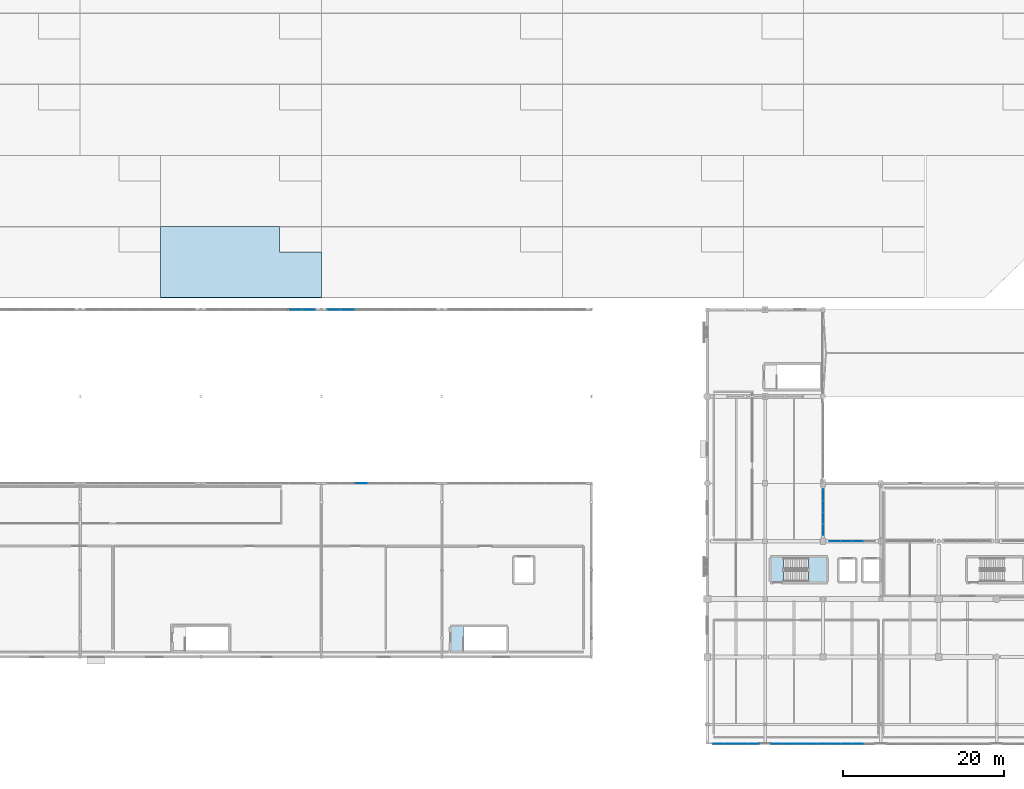
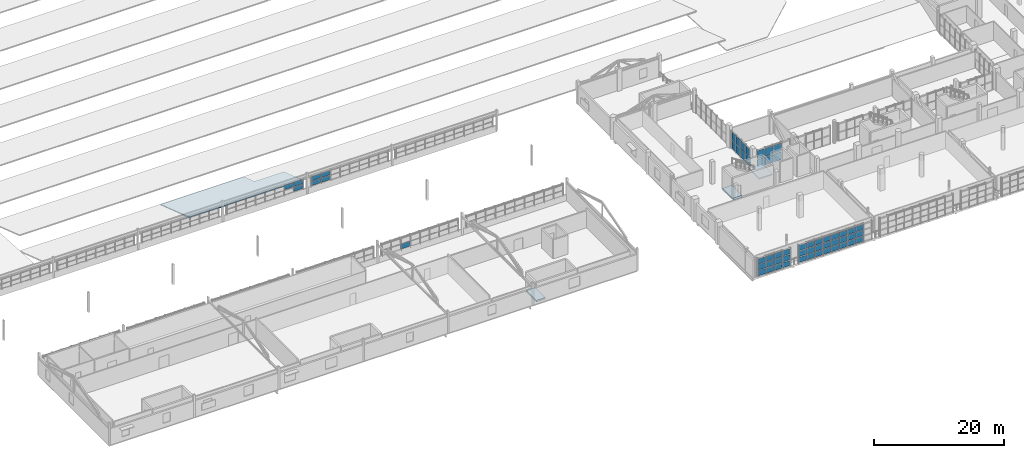
# One storey, part 46 of 90: 58 plates, 4 slabs, 8 elements without a shape of their own.
"""IFC4 building model written with IfcOpenShell, lengths in metres."""

import ifcopenshell
import ifcopenshell.guid

model = None  # the IFC model being written
_history = None  # IfcOwnerHistory: only IFC2X3 demands one
_inside = {}  # id of a spatial element -> (the spatial element, [elements in it])
_under = {}  # id of a project, library or spatial element -> (it, [spatial elements below it])
_declared = {}  # id of a project -> (the project, [libraries it declares])
_typed = {}  # id of a type object -> (the type object, [elements of that type])
_made_of = {}  # id of a material, layer set ... -> (it, [elements and type objects made of it])


def new_model(schema):
    """Start an empty IFC model of exactly this schema.

    Asked for "IFC4X3", IfcOpenShell would pick the latest addendum, in which some entities
    have other attributes; the version numbers below select the first issue.
    IFC2X3 requires an IfcOwnerHistory on every rooted entity: one is made here for all.
    """
    global model, _history
    if schema == "IFC4X3":
        model = ifcopenshell.file(schema_version=(4, 3, 0, 0))
    else:
        model = ifcopenshell.file(schema=schema)
    _inside.clear()
    _under.clear()
    _declared.clear()
    _typed.clear()
    _made_of.clear()
    _history = None
    if model.schema == "IFC2X3":
        org = make("IfcOrganization", Name="unknown")
        user = make(
            "IfcPersonAndOrganization",
            ThePerson=make("IfcPerson", FamilyName="unknown"),
            TheOrganization=org,
        )
        app = make(
            "IfcApplication",
            ApplicationDeveloper=org,
            Version="unknown",
            ApplicationFullName="unknown",
            ApplicationIdentifier="unknown",
        )
        _history = make(
            "IfcOwnerHistory",
            OwningUser=user,
            OwningApplication=app,
            ChangeAction="ADDED",
            CreationDate=0,
        )
    return model


def make(cls, **values):
    """One entity of the class cls with the attributes given. An attribute that is None is left unset."""
    return model.create_entity(
        cls, **{name: value for name, value in values.items() if value is not None}
    )


def rooted(cls, **values):
    """An entity with a GlobalId (a new one), such as an element, a storey or a relation."""
    return make(cls, GlobalId=ifcopenshell.guid.new(), OwnerHistory=_history, **values)


def si_unit(unit_type, name, prefix=None):
    """IfcSIUnit, for example si_unit("LENGTHUNIT", "METRE", prefix="MILLI")."""
    return make("IfcSIUnit", UnitType=unit_type, Prefix=prefix, Name=name)


def assignment(units):
    """IfcUnitAssignment: the units of a project."""
    return None if units is None else make("IfcUnitAssignment", Units=units)


def point(xyz):
    """IfcCartesianPoint."""
    return None if xyz is None else make("IfcCartesianPoint", Coordinates=xyz)


def direction(xyz):
    """IfcDirection."""
    return None if xyz is None else make("IfcDirection", DirectionRatios=xyz)


def frame(location, z_axis=None, x_axis=None):
    """IfcAxis2Placement3D, a coordinate frame: its origin and axes. An axis left out is left unset."""
    return make(
        "IfcAxis2Placement3D",
        Location=point(location),
        Axis=direction(z_axis),
        RefDirection=direction(x_axis),
    )


def frame_2d(location, x_axis=None):
    """IfcAxis2Placement2D, a coordinate frame in the plane: its origin and x axis."""
    return make(
        "IfcAxis2Placement2D", Location=point(location), RefDirection=direction(x_axis)
    )


def origin():
    """The frame at (0, 0, 0) with its axes left unset."""
    return frame((0.0, 0.0, 0.0))


def origin_2d():
    """The frame at (0, 0) in the plane with its x axis left unset."""
    return frame_2d((0.0, 0.0))


def place(relative_to, where):
    """IfcLocalPlacement: puts the frame where relative to a parent placement (None: the world)."""
    return make(
        "IfcLocalPlacement", PlacementRelTo=relative_to, RelativePlacement=where
    )


def context(
    kind, dimensions, precision=None, world=None, true_north=None, identifier=None
):
    """IfcGeometricRepresentationContext, for example the 3D "Model" context."""
    return make(
        "IfcGeometricRepresentationContext",
        ContextIdentifier=identifier,
        ContextType=kind,
        CoordinateSpaceDimension=dimensions,
        Precision=precision,
        WorldCoordinateSystem=world,
        TrueNorth=true_north,
    )


def subcontext(parent, identifier, kind, view, scale=None):
    """IfcGeometricRepresentationSubContext, for example "Body" below "Model"."""
    return make(
        "IfcGeometricRepresentationSubContext",
        ContextIdentifier=identifier,
        ContextType=kind,
        ParentContext=parent,
        TargetScale=scale,
        TargetView=view,
    )


def project(units=None, contexts=None):
    """IfcProject with its units and contexts."""
    return rooted(
        "IfcProject",
        Name="project",
        RepresentationContexts=contexts,
        UnitsInContext=assignment(units),
    )


def spatial(cls, under=None, at=None, **own):
    """A site, building, storey or space (cls), placed at a placement, below another one or the project."""
    s = rooted(cls, ObjectPlacement=at, **own)
    if under is not None:
        _under.setdefault(under.id(), (under, []))[1].append(s)
    return s


def polyline(points):
    """IfcPolyline through the points."""
    return make("IfcPolyline", Points=[point(p) for p in points])


def profile(cls, at=None, kind="AREA", **sizes):
    """A parametric profile (cls). Its sizes go by their IFC names, for example OverallWidth=200.0."""
    return make(cls, ProfileType=kind, Position=at, **sizes)


def rectangle(**sizes):
    """IfcRectangleProfileDef."""
    return profile("IfcRectangleProfileDef", **sizes)


def outline(outer, holes=None, kind="AREA"):
    """IfcArbitraryClosedProfileDef: a profile drawn as a closed curve; with holes, ...WithVoids."""
    if holes is None:
        return make("IfcArbitraryClosedProfileDef", ProfileType=kind, OuterCurve=outer)
    return make(
        "IfcArbitraryProfileDefWithVoids",
        ProfileType=kind,
        OuterCurve=outer,
        InnerCurves=holes,
    )


def extrude(swept, where, along, depth):
    """IfcExtrudedAreaSolid: the profile swept, set in the frame where, extruded along a direction by depth."""
    return make(
        "IfcExtrudedAreaSolid",
        SweptArea=swept,
        Position=where,
        ExtrudedDirection=direction(along),
        Depth=depth,
    )


def shape(context_of_items, identifier, shape_type, items):
    """IfcShapeRepresentation: the items that make up one representation, for example the "Body"."""
    return make(
        "IfcShapeRepresentation",
        ContextOfItems=context_of_items,
        RepresentationIdentifier=identifier,
        RepresentationType=shape_type,
        Items=items,
    )


def material(Name=None, Category=None):
    """IfcMaterial."""
    return make("IfcMaterial", Name=Name, Category=Category)


def layer(
    of_material, thickness, ventilated=None, Name=None, Category=None, Priority=None
):
    """IfcMaterialLayer: one layer of a wall or slab, of a material (None: an air gap)."""
    return make(
        "IfcMaterialLayer",
        Material=of_material,
        LayerThickness=thickness,
        IsVentilated=ventilated,
        Name=Name,
        Category=Category,
        Priority=Priority,
    )


def layer_set(layers, Name=None):
    """IfcMaterialLayerSet."""
    return make("IfcMaterialLayerSet", MaterialLayers=layers, LayerSetName=Name)


def made_of(thing, what):
    """Note that an element or type object is made of a material, layer set ...; save() writes the relation."""
    if what is not None:
        _made_of.setdefault(what.id(), (what, []))[1].append(thing)
    return thing


def type_object(cls, material=None, **own):
    """A type object (cls), such as IfcWallType, which elements share."""
    return made_of(rooted(cls, **own), material)


def element(
    cls,
    number,
    at=None,
    inside=None,
    cuts=None,
    type_object=None,
    material=None,
    context=None,
    identifier="Body",
    shape_type=None,
    held_by="IfcProductDefinitionShape",
    body=None,
    shapes=None,
    **own,
):
    """One element of the class cls, such as IfcWall. Its Tag is "e" and its number.

    at: its placement. inside: the storey or other place that contains it. cuts: it is an
    opening in that element (IfcRelVoidsElement). A single representation is given by context,
    identifier, shape_type and body (its items); several are given by shapes. held_by: the class
    of the entity that holds the representations. save() writes the other relations.
    """
    e = rooted(cls, Tag="e%d" % number, ObjectPlacement=at, **own)
    if body is not None:
        shapes = [shape(context, identifier, shape_type, body)]
    if shapes is not None:
        e.Representation = make(held_by, Representations=shapes)
    if inside is not None:
        _inside.setdefault(inside.id(), (inside, []))[1].append(e)
    if cuts is not None:
        rooted(
            "IfcRelVoidsElement", RelatingBuildingElement=cuts, RelatedOpeningElement=e
        )
    if type_object is not None:
        _typed.setdefault(type_object.id(), (type_object, []))[1].append(e)
    return made_of(e, material)


def aggregate(whole, parts):
    """IfcRelAggregates: a whole, such as a stair, and the parts it consists of."""
    return rooted("IfcRelAggregates", RelatingObject=whole, RelatedObjects=parts)


def save(model, path):
    """Write the relations noted so far, then the file.

    IfcRelAggregates (storeys below a building ...), IfcRelContainedInSpatialStructure (elements
    in a storey), IfcRelDefinesByType, IfcRelAssociatesMaterial and IfcRelDeclares: one each for
    every whole, place, type object, material and project.
    """
    for whole, parts in _under.values():
        aggregate(whole, parts)
    for where, things in _inside.values():
        rooted(
            "IfcRelContainedInSpatialStructure",
            RelatedElements=things,
            RelatingStructure=where,
        )
    for kind, things in _typed.values():
        rooted("IfcRelDefinesByType", RelatedObjects=things, RelatingType=kind)
    for what, things in _made_of.values():
        rooted("IfcRelAssociatesMaterial", RelatedObjects=things, RelatingMaterial=what)
    for by, libraries in _declared.values():
        rooted("IfcRelDeclares", RelatingContext=by, RelatedDefinitions=libraries)
    model.write(path)


model = new_model("IFC4")

# Units and contexts
model_context = context("Model", 3, precision=1e-05, world=origin(), true_north=direction((0.0, 1.0)))
body_context = subcontext(model_context, "Body", "Model", "MODEL_VIEW")
ifc_project = project(units=[si_unit("LENGTHUNIT", "METRE"), si_unit("AREAUNIT", "SQUARE_METRE"), si_unit("VOLUMEUNIT", "CUBIC_METRE"), si_unit("PLANEANGLEUNIT", "RADIAN"), si_unit("MASSUNIT", "GRAM", prefix="KILO")], contexts=[model_context])

# Site, building, storey
site_placement = place(None, origin())
site = spatial("IfcSite", under=ifc_project, at=site_placement, CompositionType="ELEMENT")
building_placement = place(site_placement, origin())
building = spatial("IfcBuilding", under=site, at=building_placement, Name="Solanera Park Tramway Depot", CompositionType="ELEMENT")
storey_placement = place(building_placement, frame((0.0, 0.0, 9.0)))
storey = spatial("IfcBuildingStorey", under=building, at=storey_placement, Name="L02", CompositionType="ELEMENT", Elevation=9.0)

# Curtain wall, plates
ifc_material_1 = material(Name="Bronze-anodised thermally broken aluminium curtain wall", Category="aluminium")
curtain_wall_type_1 = type_object("IfcCurtainWallType", Name="Courtyard Cloister Unitised Curtain Wall", PredefinedType="NOTDEFINED", material=ifc_material_1)
curtain_wall_1_placement = place(storey_placement, origin())
curtain_wall_1 = element("IfcCurtainWall", 1, at=curtain_wall_1_placement, inside=storey, type_object=curtain_wall_type_1, Name="L02 Courtyard Cloister Unitised Curtain Wall #104", PredefinedType="NOTDEFINED")
ifc_material_2 = material(Name="Low-E laminated solar-control double glazing", Category="glass")
ifc_layer_1 = layer(ifc_material_2, 0.028076171875)
ifc_layer_set_1 = layer_set([ifc_layer_1], Name="Low-E laminated solar-control double glazing")
plate_type = type_object("IfcPlateType", Name="Curtain Wall Double Glazing Panel 28", PredefinedType="CURTAIN_PANEL", material=ifc_layer_set_1)
plate_1_placement = place(storey_placement, frame((123.84130859375, 25.199951171875, 0.11181640625), z_axis=(0.0, 0.0, 1.0), x_axis=(1.0, 0.0, 0.0)))
plate_1 = element("IfcPlate", 2, at=plate_1_placement, type_object=plate_type, Name="CW-L02-104 Glazing Panel R1.C1", PredefinedType="CURTAIN_PANEL", context=body_context, shape_type="SweptSolid", body=[
    extrude(rectangle(XDim=1.365478515625, YDim=0.028076171875, at=origin_2d()), origin(), (0.0, 0.0, 1.0), 1.510986328125),
])
plate_2_placement = place(storey_placement, frame((125.27490234375, 25.199951171875, 0.11181640625), z_axis=(0.0, 0.0, 1.0), x_axis=(1.0, 0.0, 0.0)))
plate_2 = element("IfcPlate", 3, at=plate_2_placement, type_object=plate_type, Name="CW-L02-104 Glazing Panel R1.C2", PredefinedType="CURTAIN_PANEL", context=body_context, shape_type="SweptSolid", body=[
    extrude(rectangle(XDim=1.39794921875, YDim=0.028076171875, at=origin_2d()), origin(), (0.0, 0.0, 1.0), 1.510986328125),
])
plate_3_placement = place(storey_placement, frame((126.72509765625, 25.199951171875, 0.11181640625), z_axis=(0.0, 0.0, 1.0), x_axis=(1.0, 0.0, 0.0)))
plate_3 = element("IfcPlate", 4, at=plate_3_placement, type_object=plate_type, Name="CW-L02-104 Glazing Panel R1.C3", PredefinedType="CURTAIN_PANEL", context=body_context, shape_type="SweptSolid", body=[
    extrude(rectangle(XDim=1.39794921875, YDim=0.028076171875, at=origin_2d()), origin(), (0.0, 0.0, 1.0), 1.510986328125),
])
plate_4_placement = place(storey_placement, frame((123.84130859375, 25.199951171875, 1.72705078125), z_axis=(0.0, 0.0, 1.0), x_axis=(1.0, 0.0, 0.0)))
plate_4 = element("IfcPlate", 5, at=plate_4_placement, type_object=plate_type, Name="CW-L02-104 Glazing Panel R2.C1", PredefinedType="CURTAIN_PANEL", context=body_context, shape_type="SweptSolid", body=[
    extrude(rectangle(XDim=1.365478515625, YDim=0.028076171875, at=origin_2d()), origin(), (0.0, 0.0, 1.0), 1.510986328125),
])
plate_5_placement = place(storey_placement, frame((125.27490234375, 25.199951171875, 1.72705078125), z_axis=(0.0, 0.0, 1.0), x_axis=(1.0, 0.0, 0.0)))
plate_5 = element("IfcPlate", 6, at=plate_5_placement, type_object=plate_type, Name="CW-L02-104 Glazing Panel R2.C2", PredefinedType="CURTAIN_PANEL", context=body_context, shape_type="SweptSolid", body=[
    extrude(rectangle(XDim=1.39794921875, YDim=0.028076171875, at=origin_2d()), origin(), (0.0, 0.0, 1.0), 1.510986328125),
])
plate_6_placement = place(storey_placement, frame((126.72509765625, 25.199951171875, 1.72705078125), z_axis=(0.0, 0.0, 1.0), x_axis=(1.0, 0.0, 0.0)))
plate_6 = element("IfcPlate", 7, at=plate_6_placement, type_object=plate_type, Name="CW-L02-104 Glazing Panel R2.C3", PredefinedType="CURTAIN_PANEL", context=body_context, shape_type="SweptSolid", body=[
    extrude(rectangle(XDim=1.39794921875, YDim=0.028076171875, at=origin_2d()), origin(), (0.0, 0.0, 1.0), 1.510986328125),
])
aggregate(curtain_wall_1, [plate_1, plate_2, plate_3, plate_4, plate_5, plate_6])

curtain_wall_2_placement = place(storey_placement, origin())
curtain_wall_2 = element("IfcCurtainWall", 8, at=curtain_wall_2_placement, inside=storey, type_object=curtain_wall_type_1, Name="L02 Courtyard Cloister Unitised Curtain Wall #110", PredefinedType="NOTDEFINED")
plate_7_placement = place(storey_placement, frame((122.39990234375, 26.64111328125, 0.11181640625), z_axis=(0.0, 0.0, 1.0), x_axis=(0.0, 1.0, 0.0)))
plate_7 = element("IfcPlate", 9, at=plate_7_placement, type_object=plate_type, Name="CW-L02-110 Glazing Panel R1.C1", PredefinedType="CURTAIN_PANEL", context=body_context, shape_type="SweptSolid", body=[
    extrude(rectangle(XDim=1.365478515625, YDim=0.028076171875, at=origin_2d()), origin(), (0.0, 0.0, 1.0), 1.510986328125),
])
plate_8_placement = place(storey_placement, frame((122.39990234375, 28.074951171875, 0.11181640625), z_axis=(0.0, 0.0, 1.0), x_axis=(0.0, 1.0, 0.0)))
plate_8 = element("IfcPlate", 10, at=plate_8_placement, type_object=plate_type, Name="CW-L02-110 Glazing Panel R1.C2", PredefinedType="CURTAIN_PANEL", context=body_context, shape_type="SweptSolid", body=[
    extrude(rectangle(XDim=1.39794921875, YDim=0.028076171875, at=origin_2d()), origin(), (0.0, 0.0, 1.0), 1.510986328125),
])
plate_9_placement = place(storey_placement, frame((122.39990234375, 29.52490234375, 0.11181640625), z_axis=(0.0, 0.0, 1.0), x_axis=(0.0, 1.0, 0.0)))
plate_9 = element("IfcPlate", 11, at=plate_9_placement, type_object=plate_type, Name="CW-L02-110 Glazing Panel R1.C3", PredefinedType="CURTAIN_PANEL", context=body_context, shape_type="SweptSolid", body=[
    extrude(rectangle(XDim=1.39794921875, YDim=0.028076171875, at=origin_2d()), origin(), (0.0, 0.0, 1.0), 1.510986328125),
])
plate_10_placement = place(storey_placement, frame((122.39990234375, 30.958740234375, 0.11181640625), z_axis=(0.0, 0.0, 1.0), x_axis=(0.0, 1.0, 0.0)))
plate_10 = element("IfcPlate", 12, at=plate_10_placement, type_object=plate_type, Name="CW-L02-110 Glazing Panel R1.C4", PredefinedType="CURTAIN_PANEL", context=body_context, shape_type="SweptSolid", body=[
    extrude(rectangle(XDim=1.365478515625, YDim=0.028076171875, at=origin_2d()), origin(), (0.0, 0.0, 1.0), 1.510986328125),
])
plate_11_placement = place(storey_placement, frame((122.39990234375, 26.64111328125, 1.72705078125), z_axis=(0.0, 0.0, 1.0), x_axis=(0.0, 1.0, 0.0)))
plate_11 = element("IfcPlate", 13, at=plate_11_placement, type_object=plate_type, Name="CW-L02-110 Glazing Panel R2.C1", PredefinedType="CURTAIN_PANEL", context=body_context, shape_type="SweptSolid", body=[
    extrude(rectangle(XDim=1.365478515625, YDim=0.028076171875, at=origin_2d()), origin(), (0.0, 0.0, 1.0), 1.510986328125),
])
plate_12_placement = place(storey_placement, frame((122.39990234375, 28.074951171875, 1.72705078125), z_axis=(0.0, 0.0, 1.0), x_axis=(0.0, 1.0, 0.0)))
plate_12 = element("IfcPlate", 14, at=plate_12_placement, type_object=plate_type, Name="CW-L02-110 Glazing Panel R2.C2", PredefinedType="CURTAIN_PANEL", context=body_context, shape_type="SweptSolid", body=[
    extrude(rectangle(XDim=1.39794921875, YDim=0.028076171875, at=origin_2d()), origin(), (0.0, 0.0, 1.0), 1.510986328125),
])
plate_13_placement = place(storey_placement, frame((122.39990234375, 29.52490234375, 1.72705078125), z_axis=(0.0, 0.0, 1.0), x_axis=(0.0, 1.0, 0.0)))
plate_13 = element("IfcPlate", 15, at=plate_13_placement, type_object=plate_type, Name="CW-L02-110 Glazing Panel R2.C3", PredefinedType="CURTAIN_PANEL", context=body_context, shape_type="SweptSolid", body=[
    extrude(rectangle(XDim=1.39794921875, YDim=0.028076171875, at=origin_2d()), origin(), (0.0, 0.0, 1.0), 1.510986328125),
])
plate_14_placement = place(storey_placement, frame((122.39990234375, 30.958740234375, 1.72705078125), z_axis=(0.0, 0.0, 1.0), x_axis=(0.0, 1.0, 0.0)))
plate_14 = element("IfcPlate", 16, at=plate_14_placement, type_object=plate_type, Name="CW-L02-110 Glazing Panel R2.C4", PredefinedType="CURTAIN_PANEL", context=body_context, shape_type="SweptSolid", body=[
    extrude(rectangle(XDim=1.365478515625, YDim=0.028076171875, at=origin_2d()), origin(), (0.0, 0.0, 1.0), 1.510986328125),
])
aggregate(curtain_wall_2, [plate_7, plate_8, plate_9, plate_10, plate_11, plate_12, plate_13, plate_14])

ifc_material_3 = material(Name="Bronze-anodised thermally broken aluminium curtain wall", Category="aluminium")
curtain_wall_type_2 = type_object("IfcCurtainWallType", Name="Cantilevered OCC Inclined Glazing Wall", PredefinedType="NOTDEFINED", material=ifc_material_3)
curtain_wall_3_placement = place(storey_placement, origin())
curtain_wall_3 = element("IfcCurtainWall", 17, at=curtain_wall_3_placement, inside=storey, type_object=curtain_wall_type_2, Name="L02 Cantilevered OCC Inclined Glazing Wall #114", PredefinedType="NOTDEFINED")
plate_15_placement = place(storey_placement, frame((109.441162109375, 0.0, 0.112060546875), z_axis=(0.0, 0.0, 1.0), x_axis=(1.0, 0.0, 0.0)))
plate_15 = element("IfcPlate", 18, at=plate_15_placement, type_object=plate_type, Name="CW-L02-114 Glazing Panel R1.C1", PredefinedType="CURTAIN_PANEL", context=body_context, shape_type="SweptSolid", body=[
    extrude(rectangle(XDim=1.365478515625, YDim=0.028076171875, at=origin_2d()), origin(), (0.0, 0.0, 1.0), 0.96923828125),
])
plate_16_placement = place(storey_placement, frame((110.875, 0.0, 0.112060546875), z_axis=(0.0, 0.0, 1.0), x_axis=(1.0, 0.0, 0.0)))
plate_16 = element("IfcPlate", 19, at=plate_16_placement, type_object=plate_type, Name="CW-L02-114 Glazing Panel R1.C2", PredefinedType="CURTAIN_PANEL", context=body_context, shape_type="SweptSolid", body=[
    extrude(rectangle(XDim=1.39794921875, YDim=0.028076171875, at=origin_2d()), origin(), (0.0, 0.0, 1.0), 0.96923828125),
])
plate_17_placement = place(storey_placement, frame((112.324951171875, 0.0, 0.112060546875), z_axis=(0.0, 0.0, 1.0), x_axis=(1.0, 0.0, 0.0)))
plate_17 = element("IfcPlate", 20, at=plate_17_placement, type_object=plate_type, Name="CW-L02-114 Glazing Panel R1.C3", PredefinedType="CURTAIN_PANEL", context=body_context, shape_type="SweptSolid", body=[
    extrude(rectangle(XDim=1.39794921875, YDim=0.028076171875, at=origin_2d()), origin(), (0.0, 0.0, 1.0), 0.96923828125),
])
plate_18_placement = place(storey_placement, frame((113.7587890625, 0.0, 0.112060546875), z_axis=(0.0, 0.0, 1.0), x_axis=(1.0, 0.0, 0.0)))
plate_18 = element("IfcPlate", 21, at=plate_18_placement, type_object=plate_type, Name="CW-L02-114 Glazing Panel R1.C4", PredefinedType="CURTAIN_PANEL", context=body_context, shape_type="SweptSolid", body=[
    extrude(rectangle(XDim=1.365478515625, YDim=0.028076171875, at=origin_2d()), origin(), (0.0, 0.0, 1.0), 0.96923828125),
])
plate_19_placement = place(storey_placement, frame((109.441162109375, 0.0, 1.185302734375), z_axis=(0.0, 0.0, 1.0), x_axis=(1.0, 0.0, 0.0)))
plate_19 = element("IfcPlate", 22, at=plate_19_placement, type_object=plate_type, Name="CW-L02-114 Glazing Panel R2.C1", PredefinedType="CURTAIN_PANEL", context=body_context, shape_type="SweptSolid", body=[
    extrude(rectangle(XDim=1.365478515625, YDim=0.028076171875, at=origin_2d()), origin(), (0.0, 0.0, 1.0), 1.029296875),
])
plate_20_placement = place(storey_placement, frame((110.875, 0.0, 1.185302734375), z_axis=(0.0, 0.0, 1.0), x_axis=(1.0, 0.0, 0.0)))
plate_20 = element("IfcPlate", 23, at=plate_20_placement, type_object=plate_type, Name="CW-L02-114 Glazing Panel R2.C2", PredefinedType="CURTAIN_PANEL", context=body_context, shape_type="SweptSolid", body=[
    extrude(rectangle(XDim=1.39794921875, YDim=0.028076171875, at=origin_2d()), origin(), (0.0, 0.0, 1.0), 1.029296875),
])
plate_21_placement = place(storey_placement, frame((112.324951171875, 0.0, 1.185302734375), z_axis=(0.0, 0.0, 1.0), x_axis=(1.0, 0.0, 0.0)))
plate_21 = element("IfcPlate", 24, at=plate_21_placement, type_object=plate_type, Name="CW-L02-114 Glazing Panel R2.C3", PredefinedType="CURTAIN_PANEL", context=body_context, shape_type="SweptSolid", body=[
    extrude(rectangle(XDim=1.39794921875, YDim=0.028076171875, at=origin_2d()), origin(), (0.0, 0.0, 1.0), 1.029296875),
])
plate_22_placement = place(storey_placement, frame((113.7587890625, 0.0, 1.185302734375), z_axis=(0.0, 0.0, 1.0), x_axis=(1.0, 0.0, 0.0)))
plate_22 = element("IfcPlate", 25, at=plate_22_placement, type_object=plate_type, Name="CW-L02-114 Glazing Panel R2.C4", PredefinedType="CURTAIN_PANEL", context=body_context, shape_type="SweptSolid", body=[
    extrude(rectangle(XDim=1.365478515625, YDim=0.028076171875, at=origin_2d()), origin(), (0.0, 0.0, 1.0), 1.029296875),
])
plate_23_placement = place(storey_placement, frame((109.441162109375, 0.0, 2.31884765625), z_axis=(0.0, 0.0, 1.0), x_axis=(1.0, 0.0, 0.0)))
plate_23 = element("IfcPlate", 26, at=plate_23_placement, type_object=plate_type, Name="CW-L02-114 Glazing Panel R3.C1", PredefinedType="CURTAIN_PANEL", context=body_context, shape_type="SweptSolid", body=[
    extrude(rectangle(XDim=1.365478515625, YDim=0.028076171875, at=origin_2d()), origin(), (0.0, 0.0, 1.0), 0.96923828125),
])
plate_24_placement = place(storey_placement, frame((110.875, 0.0, 2.31884765625), z_axis=(0.0, 0.0, 1.0), x_axis=(1.0, 0.0, 0.0)))
plate_24 = element("IfcPlate", 27, at=plate_24_placement, type_object=plate_type, Name="CW-L02-114 Glazing Panel R3.C2", PredefinedType="CURTAIN_PANEL", context=body_context, shape_type="SweptSolid", body=[
    extrude(rectangle(XDim=1.39794921875, YDim=0.028076171875, at=origin_2d()), origin(), (0.0, 0.0, 1.0), 0.96923828125),
])
plate_25_placement = place(storey_placement, frame((112.324951171875, 0.0, 2.31884765625), z_axis=(0.0, 0.0, 1.0), x_axis=(1.0, 0.0, 0.0)))
plate_25 = element("IfcPlate", 28, at=plate_25_placement, type_object=plate_type, Name="CW-L02-114 Glazing Panel R3.C3", PredefinedType="CURTAIN_PANEL", context=body_context, shape_type="SweptSolid", body=[
    extrude(rectangle(XDim=1.39794921875, YDim=0.028076171875, at=origin_2d()), origin(), (0.0, 0.0, 1.0), 0.96923828125),
])
plate_26_placement = place(storey_placement, frame((113.7587890625, 0.0, 2.31884765625), z_axis=(0.0, 0.0, 1.0), x_axis=(1.0, 0.0, 0.0)))
plate_26 = element("IfcPlate", 29, at=plate_26_placement, type_object=plate_type, Name="CW-L02-114 Glazing Panel R3.C4", PredefinedType="CURTAIN_PANEL", context=body_context, shape_type="SweptSolid", body=[
    extrude(rectangle(XDim=1.365478515625, YDim=0.028076171875, at=origin_2d()), origin(), (0.0, 0.0, 1.0), 0.96923828125),
])
aggregate(curtain_wall_3, [plate_15, plate_16, plate_17, plate_18, plate_19, plate_20, plate_21, plate_22, plate_23, plate_24, plate_25, plate_26])

curtain_wall_4_placement = place(storey_placement, origin())
curtain_wall_4 = element("IfcCurtainWall", 30, at=curtain_wall_4_placement, inside=storey, type_object=curtain_wall_type_2, Name="L02 Cantilevered OCC Inclined Glazing Wall #115", PredefinedType="NOTDEFINED")
plate_27_placement = place(storey_placement, frame((116.638427734375, 0.0, 0.112060546875), z_axis=(0.0, 0.0, 1.0), x_axis=(1.0, 0.0, 0.0)))
plate_27 = element("IfcPlate", 31, at=plate_27_placement, type_object=plate_type, Name="CW-L02-115 Glazing Panel R1.C1", PredefinedType="CURTAIN_PANEL", context=body_context, shape_type="SweptSolid", body=[
    extrude(rectangle(XDim=1.35986328125, YDim=0.028076171875, at=origin_2d()), origin(), (0.0, 0.0, 1.0), 0.96923828125),
])
plate_28_placement = place(storey_placement, frame((118.066650390625, 0.0, 0.112060546875), z_axis=(0.0, 0.0, 1.0), x_axis=(1.0, 0.0, 0.0)))
plate_28 = element("IfcPlate", 32, at=plate_28_placement, type_object=plate_type, Name="CW-L02-115 Glazing Panel R1.C2", PredefinedType="CURTAIN_PANEL", context=body_context, shape_type="SweptSolid", body=[
    extrude(rectangle(XDim=1.392333984375, YDim=0.028076171875, at=origin_2d()), origin(), (0.0, 0.0, 1.0), 0.96923828125),
])
plate_29_placement = place(storey_placement, frame((119.510986328125, 0.0, 0.112060546875), z_axis=(0.0, 0.0, 1.0), x_axis=(1.0, 0.0, 0.0)))
plate_29 = element("IfcPlate", 33, at=plate_29_placement, type_object=plate_type, Name="CW-L02-115 Glazing Panel R1.C3", PredefinedType="CURTAIN_PANEL", context=body_context, shape_type="SweptSolid", body=[
    extrude(rectangle(XDim=1.392333984375, YDim=0.028076171875, at=origin_2d()), origin(), (0.0, 0.0, 1.0), 0.96923828125),
])
plate_30_placement = place(storey_placement, frame((120.95556640625, 0.0, 0.112060546875), z_axis=(0.0, 0.0, 1.0), x_axis=(1.0, 0.0, 0.0)))
plate_30 = element("IfcPlate", 34, at=plate_30_placement, type_object=plate_type, Name="CW-L02-115 Glazing Panel R1.C4", PredefinedType="CURTAIN_PANEL", context=body_context, shape_type="SweptSolid", body=[
    extrude(rectangle(XDim=1.392333984375, YDim=0.028076171875, at=origin_2d()), origin(), (0.0, 0.0, 1.0), 0.96923828125),
])
plate_31_placement = place(storey_placement, frame((122.39990234375, 0.0, 0.112060546875), z_axis=(0.0, 0.0, 1.0), x_axis=(1.0, 0.0, 0.0)))
plate_31 = element("IfcPlate", 35, at=plate_31_placement, type_object=plate_type, Name="CW-L02-115 Glazing Panel R1.C5", PredefinedType="CURTAIN_PANEL", context=body_context, shape_type="SweptSolid", body=[
    extrude(rectangle(XDim=1.392333984375, YDim=0.028076171875, at=origin_2d()), origin(), (0.0, 0.0, 1.0), 0.96923828125),
])
plate_32_placement = place(storey_placement, frame((123.844482421875, 0.0, 0.112060546875), z_axis=(0.0, 0.0, 1.0), x_axis=(1.0, 0.0, 0.0)))
plate_32 = element("IfcPlate", 36, at=plate_32_placement, type_object=plate_type, Name="CW-L02-115 Glazing Panel R1.C6", PredefinedType="CURTAIN_PANEL", context=body_context, shape_type="SweptSolid", body=[
    extrude(rectangle(XDim=1.392333984375, YDim=0.028076171875, at=origin_2d()), origin(), (0.0, 0.0, 1.0), 0.96923828125),
])
plate_33_placement = place(storey_placement, frame((125.288818359375, 0.0, 0.112060546875), z_axis=(0.0, 0.0, 1.0), x_axis=(1.0, 0.0, 0.0)))
plate_33 = element("IfcPlate", 37, at=plate_33_placement, type_object=plate_type, Name="CW-L02-115 Glazing Panel R1.C7", PredefinedType="CURTAIN_PANEL", context=body_context, shape_type="SweptSolid", body=[
    extrude(rectangle(XDim=1.392333984375, YDim=0.028076171875, at=origin_2d()), origin(), (0.0, 0.0, 1.0), 0.96923828125),
])
plate_34_placement = place(storey_placement, frame((126.7333984375, 0.0, 0.112060546875), z_axis=(0.0, 0.0, 1.0), x_axis=(1.0, 0.0, 0.0)))
plate_34 = element("IfcPlate", 38, at=plate_34_placement, type_object=plate_type, Name="CW-L02-115 Glazing Panel R1.C8", PredefinedType="CURTAIN_PANEL", context=body_context, shape_type="SweptSolid", body=[
    extrude(rectangle(XDim=1.392333984375, YDim=0.028076171875, at=origin_2d()), origin(), (0.0, 0.0, 1.0), 0.96923828125),
])
plate_35_placement = place(storey_placement, frame((116.638427734375, 0.0, 1.185302734375), z_axis=(0.0, 0.0, 1.0), x_axis=(1.0, 0.0, 0.0)))
plate_35 = element("IfcPlate", 39, at=plate_35_placement, type_object=plate_type, Name="CW-L02-115 Glazing Panel R2.C1", PredefinedType="CURTAIN_PANEL", context=body_context, shape_type="SweptSolid", body=[
    extrude(rectangle(XDim=1.35986328125, YDim=0.028076171875, at=origin_2d()), origin(), (0.0, 0.0, 1.0), 1.029296875),
])
plate_36_placement = place(storey_placement, frame((118.066650390625, 0.0, 1.185302734375), z_axis=(0.0, 0.0, 1.0), x_axis=(1.0, 0.0, 0.0)))
plate_36 = element("IfcPlate", 40, at=plate_36_placement, type_object=plate_type, Name="CW-L02-115 Glazing Panel R2.C2", PredefinedType="CURTAIN_PANEL", context=body_context, shape_type="SweptSolid", body=[
    extrude(rectangle(XDim=1.392333984375, YDim=0.028076171875, at=origin_2d()), origin(), (0.0, 0.0, 1.0), 1.029296875),
])
plate_37_placement = place(storey_placement, frame((119.510986328125, 0.0, 1.185302734375), z_axis=(0.0, 0.0, 1.0), x_axis=(1.0, 0.0, 0.0)))
plate_37 = element("IfcPlate", 41, at=plate_37_placement, type_object=plate_type, Name="CW-L02-115 Glazing Panel R2.C3", PredefinedType="CURTAIN_PANEL", context=body_context, shape_type="SweptSolid", body=[
    extrude(rectangle(XDim=1.392333984375, YDim=0.028076171875, at=origin_2d()), origin(), (0.0, 0.0, 1.0), 1.029296875),
])
plate_38_placement = place(storey_placement, frame((120.95556640625, 0.0, 1.185302734375), z_axis=(0.0, 0.0, 1.0), x_axis=(1.0, 0.0, 0.0)))
plate_38 = element("IfcPlate", 42, at=plate_38_placement, type_object=plate_type, Name="CW-L02-115 Glazing Panel R2.C4", PredefinedType="CURTAIN_PANEL", context=body_context, shape_type="SweptSolid", body=[
    extrude(rectangle(XDim=1.392333984375, YDim=0.028076171875, at=origin_2d()), origin(), (0.0, 0.0, 1.0), 1.029296875),
])
plate_39_placement = place(storey_placement, frame((122.39990234375, 0.0, 1.185302734375), z_axis=(0.0, 0.0, 1.0), x_axis=(1.0, 0.0, 0.0)))
plate_39 = element("IfcPlate", 43, at=plate_39_placement, type_object=plate_type, Name="CW-L02-115 Glazing Panel R2.C5", PredefinedType="CURTAIN_PANEL", context=body_context, shape_type="SweptSolid", body=[
    extrude(rectangle(XDim=1.392333984375, YDim=0.028076171875, at=origin_2d()), origin(), (0.0, 0.0, 1.0), 1.029296875),
])
plate_40_placement = place(storey_placement, frame((123.844482421875, 0.0, 1.185302734375), z_axis=(0.0, 0.0, 1.0), x_axis=(1.0, 0.0, 0.0)))
plate_40 = element("IfcPlate", 44, at=plate_40_placement, type_object=plate_type, Name="CW-L02-115 Glazing Panel R2.C6", PredefinedType="CURTAIN_PANEL", context=body_context, shape_type="SweptSolid", body=[
    extrude(rectangle(XDim=1.392333984375, YDim=0.028076171875, at=origin_2d()), origin(), (0.0, 0.0, 1.0), 1.029296875),
])
plate_41_placement = place(storey_placement, frame((125.288818359375, 0.0, 1.185302734375), z_axis=(0.0, 0.0, 1.0), x_axis=(1.0, 0.0, 0.0)))
plate_41 = element("IfcPlate", 45, at=plate_41_placement, type_object=plate_type, Name="CW-L02-115 Glazing Panel R2.C7", PredefinedType="CURTAIN_PANEL", context=body_context, shape_type="SweptSolid", body=[
    extrude(rectangle(XDim=1.392333984375, YDim=0.028076171875, at=origin_2d()), origin(), (0.0, 0.0, 1.0), 1.029296875),
])
plate_42_placement = place(storey_placement, frame((126.7333984375, 0.0, 1.185302734375), z_axis=(0.0, 0.0, 1.0), x_axis=(1.0, 0.0, 0.0)))
plate_42 = element("IfcPlate", 46, at=plate_42_placement, type_object=plate_type, Name="CW-L02-115 Glazing Panel R2.C8", PredefinedType="CURTAIN_PANEL", context=body_context, shape_type="SweptSolid", body=[
    extrude(rectangle(XDim=1.392333984375, YDim=0.028076171875, at=origin_2d()), origin(), (0.0, 0.0, 1.0), 1.029296875),
])
plate_43_placement = place(storey_placement, frame((116.638427734375, 0.0, 2.31884765625), z_axis=(0.0, 0.0, 1.0), x_axis=(1.0, 0.0, 0.0)))
plate_43 = element("IfcPlate", 47, at=plate_43_placement, type_object=plate_type, Name="CW-L02-115 Glazing Panel R3.C1", PredefinedType="CURTAIN_PANEL", context=body_context, shape_type="SweptSolid", body=[
    extrude(rectangle(XDim=1.35986328125, YDim=0.028076171875, at=origin_2d()), origin(), (0.0, 0.0, 1.0), 0.96923828125),
])
plate_44_placement = place(storey_placement, frame((118.066650390625, 0.0, 2.31884765625), z_axis=(0.0, 0.0, 1.0), x_axis=(1.0, 0.0, 0.0)))
plate_44 = element("IfcPlate", 48, at=plate_44_placement, type_object=plate_type, Name="CW-L02-115 Glazing Panel R3.C2", PredefinedType="CURTAIN_PANEL", context=body_context, shape_type="SweptSolid", body=[
    extrude(rectangle(XDim=1.392333984375, YDim=0.028076171875, at=origin_2d()), origin(), (0.0, 0.0, 1.0), 0.96923828125),
])
plate_45_placement = place(storey_placement, frame((119.510986328125, 0.0, 2.31884765625), z_axis=(0.0, 0.0, 1.0), x_axis=(1.0, 0.0, 0.0)))
plate_45 = element("IfcPlate", 49, at=plate_45_placement, type_object=plate_type, Name="CW-L02-115 Glazing Panel R3.C3", PredefinedType="CURTAIN_PANEL", context=body_context, shape_type="SweptSolid", body=[
    extrude(rectangle(XDim=1.392333984375, YDim=0.028076171875, at=origin_2d()), origin(), (0.0, 0.0, 1.0), 0.96923828125),
])
plate_46_placement = place(storey_placement, frame((120.95556640625, 0.0, 2.31884765625), z_axis=(0.0, 0.0, 1.0), x_axis=(1.0, 0.0, 0.0)))
plate_46 = element("IfcPlate", 50, at=plate_46_placement, type_object=plate_type, Name="CW-L02-115 Glazing Panel R3.C4", PredefinedType="CURTAIN_PANEL", context=body_context, shape_type="SweptSolid", body=[
    extrude(rectangle(XDim=1.392333984375, YDim=0.028076171875, at=origin_2d()), origin(), (0.0, 0.0, 1.0), 0.96923828125),
])
plate_47_placement = place(storey_placement, frame((122.39990234375, 0.0, 2.31884765625), z_axis=(0.0, 0.0, 1.0), x_axis=(1.0, 0.0, 0.0)))
plate_47 = element("IfcPlate", 51, at=plate_47_placement, type_object=plate_type, Name="CW-L02-115 Glazing Panel R3.C5", PredefinedType="CURTAIN_PANEL", context=body_context, shape_type="SweptSolid", body=[
    extrude(rectangle(XDim=1.392333984375, YDim=0.028076171875, at=origin_2d()), origin(), (0.0, 0.0, 1.0), 0.96923828125),
])
plate_48_placement = place(storey_placement, frame((123.844482421875, 0.0, 2.31884765625), z_axis=(0.0, 0.0, 1.0), x_axis=(1.0, 0.0, 0.0)))
plate_48 = element("IfcPlate", 52, at=plate_48_placement, type_object=plate_type, Name="CW-L02-115 Glazing Panel R3.C6", PredefinedType="CURTAIN_PANEL", context=body_context, shape_type="SweptSolid", body=[
    extrude(rectangle(XDim=1.392333984375, YDim=0.028076171875, at=origin_2d()), origin(), (0.0, 0.0, 1.0), 0.96923828125),
])
plate_49_placement = place(storey_placement, frame((125.288818359375, 0.0, 2.31884765625), z_axis=(0.0, 0.0, 1.0), x_axis=(1.0, 0.0, 0.0)))
plate_49 = element("IfcPlate", 53, at=plate_49_placement, type_object=plate_type, Name="CW-L02-115 Glazing Panel R3.C7", PredefinedType="CURTAIN_PANEL", context=body_context, shape_type="SweptSolid", body=[
    extrude(rectangle(XDim=1.392333984375, YDim=0.028076171875, at=origin_2d()), origin(), (0.0, 0.0, 1.0), 0.96923828125),
])
plate_50_placement = place(storey_placement, frame((126.7333984375, 0.0, 2.31884765625), z_axis=(0.0, 0.0, 1.0), x_axis=(1.0, 0.0, 0.0)))
plate_50 = element("IfcPlate", 54, at=plate_50_placement, type_object=plate_type, Name="CW-L02-115 Glazing Panel R3.C8", PredefinedType="CURTAIN_PANEL", context=body_context, shape_type="SweptSolid", body=[
    extrude(rectangle(XDim=1.392333984375, YDim=0.028076171875, at=origin_2d()), origin(), (0.0, 0.0, 1.0), 0.96923828125),
])
aggregate(curtain_wall_4, [plate_27, plate_28, plate_29, plate_30, plate_31, plate_32, plate_33, plate_34, plate_35, plate_36, plate_37, plate_38, plate_39, plate_40, plate_41, plate_42, plate_43, plate_44, plate_45, plate_46, plate_47, plate_48, plate_49, plate_50])

ifc_material_4 = material(Name="Bronze-anodised thermally broken aluminium curtain wall", Category="aluminium")
curtain_wall_type_3 = type_object("IfcCurtainWallType", Name="Workshop Daylight Ribbon Curtain Wall", PredefinedType="NOTDEFINED", material=ifc_material_4)
curtain_wall_5_placement = place(storey_placement, origin())
curtain_wall_5 = element("IfcCurtainWall", 55, at=curtain_wall_5_placement, inside=storey, type_object=curtain_wall_type_3, Name="L02 Workshop Daylight Ribbon Curtain Wall #158", PredefinedType="NOTDEFINED")
plate_51_placement = place(storey_placement, frame((58.43359375, 54.0, 1.112060546875), z_axis=(0.0, 0.0, 1.0), x_axis=(-1.0, 0.0, 0.0)))
plate_51 = element("IfcPlate", 56, at=plate_51_placement, type_object=plate_type, Name="CW-L02-158 Glazing Panel R1.C1", PredefinedType="CURTAIN_PANEL", context=body_context, shape_type="SweptSolid", body=[
    extrude(rectangle(XDim=1.615478515625, YDim=0.028076171875, at=origin_2d()), origin(), (0.0, 0.0, 1.0), 0.7958984375),
])
plate_52_placement = place(storey_placement, frame((58.43359375, 54.0, 2.011962890625), z_axis=(0.0, 0.0, 1.0), x_axis=(-1.0, 0.0, 0.0)))
plate_52 = element("IfcPlate", 57, at=plate_52_placement, type_object=plate_type, Name="CW-L02-158 Glazing Panel R2.C1", PredefinedType="CURTAIN_PANEL", context=body_context, shape_type="SweptSolid", body=[
    extrude(rectangle(XDim=1.615478515625, YDim=0.028076171875, at=origin_2d()), origin(), (0.0, 0.0, 1.0), 0.7958984375),
])
plate_53_placement = place(storey_placement, frame((56.75, 54.0, 2.011962890625), z_axis=(0.0, 0.0, 1.0), x_axis=(-1.0, 0.0, 0.0)))
plate_53 = element("IfcPlate", 58, at=plate_53_placement, type_object=plate_type, Name="CW-L02-158 Glazing Panel R2.C2", PredefinedType="CURTAIN_PANEL", context=body_context, shape_type="SweptSolid", body=[
    extrude(rectangle(XDim=1.64794921875, YDim=0.028076171875, at=origin_2d()), origin(), (0.0, 0.0, 1.0), 0.7958984375),
])
aggregate(curtain_wall_5, [plate_51, plate_52, plate_53])

curtain_wall_6_placement = place(storey_placement, origin())
curtain_wall_6 = element("IfcCurtainWall", 59, at=curtain_wall_6_placement, inside=storey, type_object=curtain_wall_type_3, Name="L02 Workshop Daylight Ribbon Curtain Wall #160", PredefinedType="NOTDEFINED")
plate_54_placement = place(storey_placement, frame((63.25, 54.0, 1.112060546875), z_axis=(0.0, 0.0, 1.0), x_axis=(-1.0, 0.0, 0.0)))
plate_54 = element("IfcPlate", 60, at=plate_54_placement, type_object=plate_type, Name="CW-L02-160 Glazing Panel R1.C7", PredefinedType="CURTAIN_PANEL", context=body_context, shape_type="SweptSolid", body=[
    extrude(rectangle(XDim=1.64794921875, YDim=0.028076171875, at=origin_2d()), origin(), (0.0, 0.0, 1.0), 0.7958984375),
])
plate_55_placement = place(storey_placement, frame((61.56640625, 54.0, 1.112060546875), z_axis=(0.0, 0.0, 1.0), x_axis=(-1.0, 0.0, 0.0)))
plate_55 = element("IfcPlate", 61, at=plate_55_placement, type_object=plate_type, Name="CW-L02-160 Glazing Panel R1.C8", PredefinedType="CURTAIN_PANEL", context=body_context, shape_type="SweptSolid", body=[
    extrude(rectangle(XDim=1.615478515625, YDim=0.028076171875, at=origin_2d()), origin(), (0.0, 0.0, 1.0), 0.7958984375),
])
plate_56_placement = place(storey_placement, frame((63.25, 54.0, 2.011962890625), z_axis=(0.0, 0.0, 1.0), x_axis=(-1.0, 0.0, 0.0)))
plate_56 = element("IfcPlate", 62, at=plate_56_placement, type_object=plate_type, Name="CW-L02-160 Glazing Panel R2.C7", PredefinedType="CURTAIN_PANEL", context=body_context, shape_type="SweptSolid", body=[
    extrude(rectangle(XDim=1.64794921875, YDim=0.028076171875, at=origin_2d()), origin(), (0.0, 0.0, 1.0), 0.7958984375),
])
plate_57_placement = place(storey_placement, frame((61.56640625, 54.0, 2.011962890625), z_axis=(0.0, 0.0, 1.0), x_axis=(-1.0, 0.0, 0.0)))
plate_57 = element("IfcPlate", 63, at=plate_57_placement, type_object=plate_type, Name="CW-L02-160 Glazing Panel R2.C8", PredefinedType="CURTAIN_PANEL", context=body_context, shape_type="SweptSolid", body=[
    extrude(rectangle(XDim=1.615478515625, YDim=0.028076171875, at=origin_2d()), origin(), (0.0, 0.0, 1.0), 0.7958984375),
])
aggregate(curtain_wall_6, [plate_54, plate_55, plate_56, plate_57])

# Curtain wall, plate
curtain_wall_7_placement = place(storey_placement, origin())
curtain_wall_7 = element("IfcCurtainWall", 64, at=curtain_wall_7_placement, inside=storey, type_object=curtain_wall_type_3, Name="L02 Workshop Daylight Ribbon Curtain Wall #161", PredefinedType="NOTDEFINED")
plate_58_placement = place(storey_placement, frame((64.949951171875, 32.39990234375, 1.112060546875), z_axis=(0.0, 0.0, 1.0), x_axis=(1.0, 0.0, 0.0)))
plate_58 = element("IfcPlate", 65, at=plate_58_placement, type_object=plate_type, Name="CW-L02-161 Glazing Panel R1.C3", PredefinedType="CURTAIN_PANEL", context=body_context, shape_type="SweptSolid", body=[
    extrude(rectangle(XDim=1.64794921875, YDim=0.028076171875, at=origin_2d()), origin(), (0.0, 0.0, 1.0), 0.9609375),
])
aggregate(curtain_wall_7, [plate_58])

# Slabs
ifc_material_5 = material(Name="Concrete N40 (C40/50)", Category="concrete")
ifc_layer_2 = layer(ifc_material_5, 0.159912109375)
ifc_layer_set_2 = layer_set([ifc_layer_2], Name="Concrete N40 (C40/50)")
slab_type_1 = type_object("IfcSlabType", Name="Slab Roof 160", PredefinedType="ROOF", material=ifc_layer_set_2)
slab_1_placement = place(storey_placement, frame((40.0, 55.5, 1.561279296875), z_axis=(5.407428e-06, 0.317308481042, 0.948322375477), x_axis=(0.999999999985, -1.715823e-06, -5.127985e-06)))
element("IfcSlab", 66, at=slab_1_placement, inside=storey, type_object=slab_type_1, Name="Sawtooth Sloped Roof Slab Bay 01.2", PredefinedType="ROOF", context=body_context, shape_type="SweptSolid", body=[
    extrude(outline(polyline([(0.0, 0.0), (19.999999999707597, 0.0), (20.000000000573113, 5.957840158892937), (14.800048828774138, 5.957840158892937), (14.800048827604526, 9.332353681187493), (-3.0409605442552443e-10, 9.332353681187493), (0.0, 0.0)])), origin(), (0.0, 0.0, -1.0), 0.159912109375),
])
ifc_material_6 = material(Name="Concrete N40 (C40/50)", Category="concrete")
ifc_layer_3 = layer(ifc_material_6, 0.300048828125)
ifc_layer_set_3 = layer_set([ifc_layer_3], Name="Concrete N40 (C40/50)")
slab_type_2 = type_object("IfcSlabType", Name="Slab Stair Floor Landing 300", PredefinedType="LANDING", material=ifc_layer_set_3)
slab_2_placement = place(storey_placement, frame((0.0, 0.0, -0.300048828125)))
element("IfcSlab", 67, at=slab_2_placement, inside=storey, type_object=slab_type_2, Name="ST-09 L02 Floor Landing", PredefinedType="LANDING", context=body_context, shape_type="SweptSolid", body=[
    extrude(outline(polyline([(76.080078125, 11.47998046875), (77.699951171875, 11.47998046875), (77.699951171875, 14.6201171875), (76.080078125, 14.6201171875), (76.080078125, 11.47998046875)])), origin(), (0.0, 0.0, 1.0), 0.300048828125),
])
ifc_material_7 = material(Name="Concrete N40 (C40/50)", Category="concrete")
ifc_layer_4 = layer(ifc_material_7, 0.360107421875)
ifc_layer_set_4 = layer_set([ifc_layer_4], Name="Concrete N40 (C40/50)")
slab_type_3 = type_object("IfcSlabType", Name="Slab Stair Floor Landing 360", PredefinedType="LANDING", material=ifc_layer_set_4)
slab_3_placement = place(storey_placement, frame((0.0, 0.0, -0.360107421875)))
element("IfcSlab", 68, at=slab_3_placement, inside=storey, type_object=slab_type_3, Name="ST-01 L02 Floor Landing", PredefinedType="LANDING", context=body_context, shape_type="SweptSolid", body=[
    extrude(outline(polyline([(115.8798828125, 20.080078125), (117.5, 20.080078125), (117.5, 23.219970703125), (115.8798828125, 23.219970703125), (115.8798828125, 20.080078125)])), origin(), (0.0, 0.0, 1.0), 0.360107421875),
])

# Stair, slab
ifc_material_8 = material(Name="Concrete N40 (C40/50)", Category="concrete")
stair_type = type_object("IfcStairType", Name="Stair Half-Turn Dogleg 4200", PredefinedType="HALF_TURN_STAIR", material=ifc_material_8)
stair_placement = place(storey_placement, origin())
stair = element("IfcStair", 69, at=stair_placement, inside=storey, type_object=stair_type, Name="ST-01 L02 Half-Turn Stair", PredefinedType="HALF_TURN_STAIR")
ifc_material_9 = material(Name="Concrete N40 (C40/50)", Category="concrete")
ifc_layer_5 = layer(ifc_material_9, 0.199951171875)
ifc_layer_set_5 = layer_set([ifc_layer_5], Name="Concrete N40 (C40/50)")
slab_type_4 = type_object("IfcSlabType", Name="Slab Stair Landing 200", PredefinedType="LANDING", material=ifc_layer_set_5)
slab_4_placement = place(storey_placement, frame((0.0, 0.0, 1.89990234375)))
slab_4 = element("IfcSlab", 70, at=slab_4_placement, type_object=slab_type_4, Name="ST-01 L02 Half-Landing 1", PredefinedType="LANDING", context=body_context, shape_type="SweptSolid", body=[
    extrude(outline(polyline([(120.580078125, 20.080078125), (122.919921875, 20.080078125), (122.919921875, 23.219970703125), (120.580078125, 23.219970703125), (120.580078125, 20.080078125)])), origin(), (0.0, 0.0, 1.0), 0.2001953125),
])
aggregate(stair, [slab_4])

save(model, "model.ifc")
